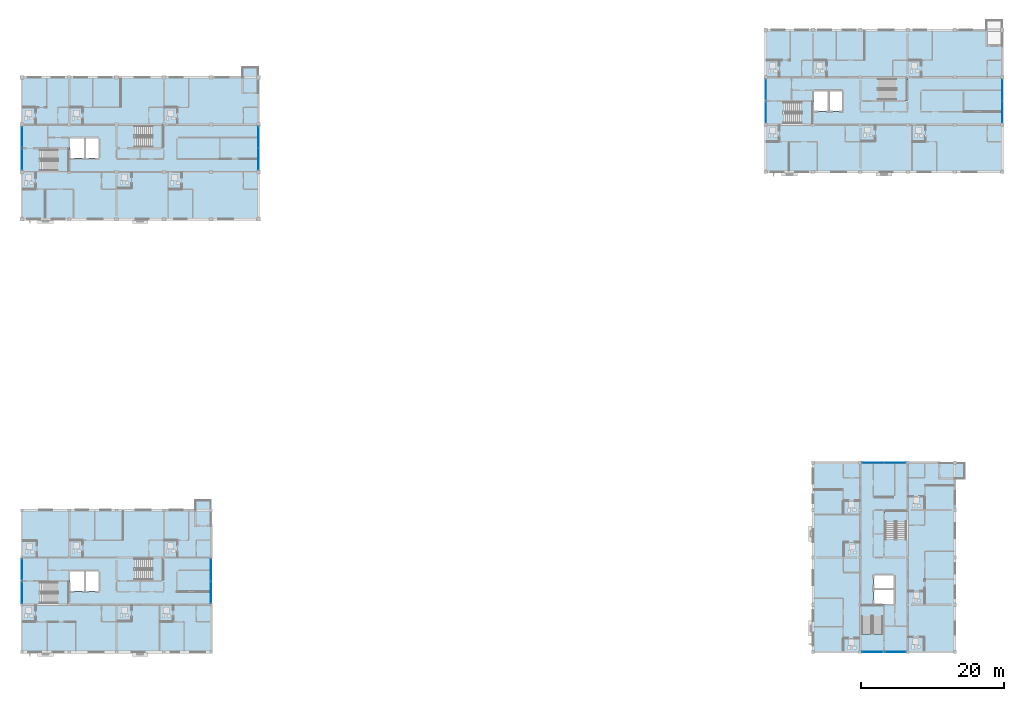
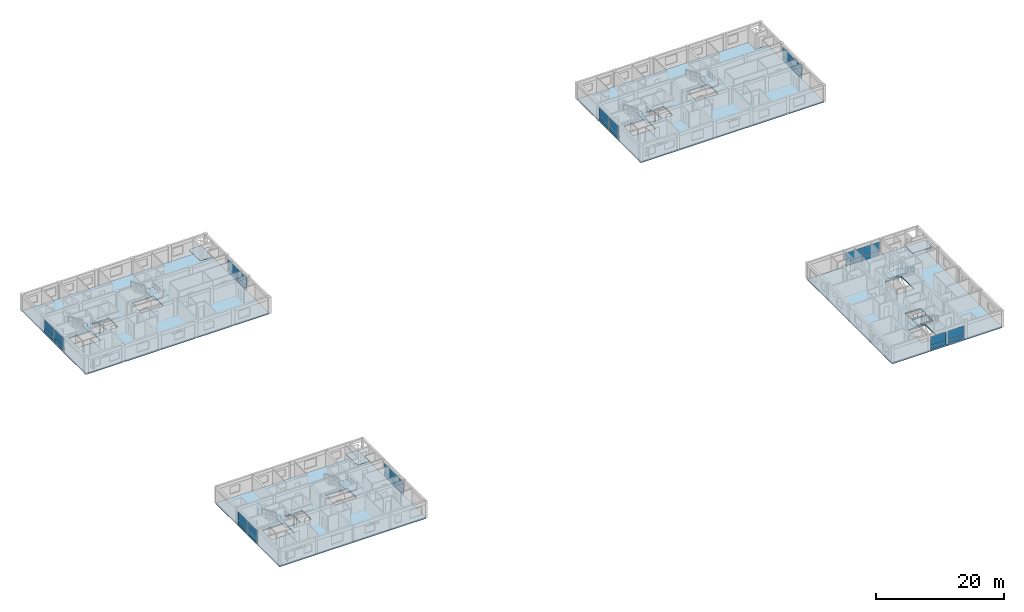
# One storey, part 25 of 53: 32 plates, 15 slabs, 20 elements without a shape of their own.
"""IFC4 building model written with IfcOpenShell, lengths in metres."""

from ifc_helpers import new_model, si_unit, direction, frame, origin, origin_2d, place, context, subcontext, project, spatial, polyline, rectangle, outline, extrude, material, layer, layer_set, type_object, element, aggregate, save


model = new_model("IFC4")

# Units and contexts
model_context = context("Model", 3, precision=1e-05, world=origin(), true_north=direction((0.0, 1.0)))
body_context = subcontext(model_context, "Body", "Model", "MODEL_VIEW")
ifc_project = project(units=[si_unit("LENGTHUNIT", "METRE"), si_unit("AREAUNIT", "SQUARE_METRE"), si_unit("VOLUMEUNIT", "CUBIC_METRE"), si_unit("PLANEANGLEUNIT", "RADIAN"), si_unit("MASSUNIT", "GRAM", prefix="KILO")], contexts=[model_context])

# Site, building, storey
site_placement = place(None, origin())
site = spatial("IfcSite", under=ifc_project, at=site_placement, CompositionType="ELEMENT")
building_placement = place(site_placement, origin())
building = spatial("IfcBuilding", under=site, at=building_placement, Name="Kernevlak Ridge Housing Community", CompositionType="ELEMENT")
storey_placement = place(building_placement, frame((0.0, 0.0, 24.39990234375)))
storey = spatial("IfcBuildingStorey", under=building, at=storey_placement, Name="L07", CompositionType="ELEMENT", Elevation=24.39990234375)

# Curtain wall, plate
ifc_material_1 = material(Name="Aluminium EN AW-6060 anodised and laminated glass", Category="aluminium")
curtain_wall_type_1 = type_object("IfcCurtainWallType", Name="CW-01", PredefinedType="NOTDEFINED", material=ifc_material_1)
curtain_wall_1_placement = place(storey_placement, origin())
curtain_wall_1 = element("IfcCurtainWall", 1, at=curtain_wall_1_placement, inside=storey, type_object=curtain_wall_type_1, Name="Curtain wall CW-01 CW-L07-022", PredefinedType="NOTDEFINED")
ifc_material_2 = material(Name="Solar-control double glazing glass", Category="glass")
ifc_layer_1 = layer(ifc_material_2, 0.02392578125, Name="Solar-control double glazing glass")
ifc_layer_set_1 = layer_set([ifc_layer_1], Name="Solar-control double glazing glass")
plate_type_1 = type_object("IfcPlateType", Name="CP-01", PredefinedType="CURTAIN_PANEL", material=ifc_layer_set_1)
plate_1_placement = place(storey_placement, frame((15.60009765625, 84.33251953125, 0.88037109375), z_axis=(0.0, 0.0, 1.0), x_axis=(0.0, 1.0, 0.0)))
plate_1 = element("IfcPlate", 2, at=plate_1_placement, type_object=plate_type_1, Name="CW-01 panel 1.2", PredefinedType="CURTAIN_PANEL", context=body_context, shape_type="SweptSolid", body=[
    extrude(rectangle(XDim=2.794921875, YDim=0.02392578125, at=origin_2d()), origin(), (0.0, 0.0, 1.0), 1.659912109375),
])

curtain_wall_type_2 = type_object("IfcCurtainWallType", Name="CW-08", PredefinedType="NOTDEFINED", material=ifc_material_1)
curtain_wall_2_placement = place(storey_placement, origin())
curtain_wall_2 = element("IfcCurtainWall", 3, at=curtain_wall_2_placement, inside=storey, type_object=curtain_wall_type_2, Name="Curtain wall CW-08 CW-L07-023", PredefinedType="NOTDEFINED")
plate_2_placement = place(storey_placement, frame((15.60009765625, 87.467529296875, 0.88232421875), z_axis=(0.0, 0.0, 1.0), x_axis=(0.0, 1.0, 0.0)))
plate_2 = element("IfcPlate", 4, at=plate_2_placement, type_object=plate_type_1, Name="CW-08 panel 1.2", PredefinedType="CURTAIN_PANEL", context=body_context, shape_type="SweptSolid", body=[
    extrude(rectangle(XDim=2.784912109375, YDim=0.02392578125, at=origin_2d()), origin(), (0.0, 0.0, 1.0), 1.652587890625),
])

# Curtain wall, plates
curtain_wall_type_3 = type_object("IfcCurtainWallType", Name="CW-09", PredefinedType="NOTDEFINED", material=ifc_material_1)
curtain_wall_3_placement = place(storey_placement, origin())
curtain_wall_3 = element("IfcCurtainWall", 5, at=curtain_wall_3_placement, inside=storey, type_object=curtain_wall_type_3, Name="Curtain wall CW-09 CW-L07-024", PredefinedType="NOTDEFINED")
plate_3_placement = place(storey_placement, frame((48.60009765625, 84.4013671875, 0.877685546875), z_axis=(0.0, 0.0, 1.0), x_axis=(0.0, 1.0, 0.0)))
plate_3 = element("IfcPlate", 6, at=plate_3_placement, type_object=plate_type_1, Name="CW-09 panel 1.2", PredefinedType="CURTAIN_PANEL", context=body_context, shape_type="SweptSolid", body=[
    extrude(rectangle(XDim=2.9423828125, YDim=0.02392578125, at=origin_2d()), origin(), (0.0, 0.0, 1.0), 1.66748046875),
])
plate_4_placement = place(storey_placement, frame((48.60009765625, 87.398681640625, 0.877685546875), z_axis=(0.0, 0.0, 1.0), x_axis=(0.0, 1.0, 0.0)))
plate_4 = element("IfcPlate", 7, at=plate_4_placement, type_object=plate_type_1, Name="CW-09 panel 2.2", PredefinedType="CURTAIN_PANEL", context=body_context, shape_type="SweptSolid", body=[
    extrude(rectangle(XDim=2.9423828125, YDim=0.02392578125, at=origin_2d()), origin(), (0.0, 0.0, 1.0), 1.66748046875),
])

# Curtain wall, plate
curtain_wall_type_4 = type_object("IfcCurtainWallType", Name="CW-04", PredefinedType="NOTDEFINED", material=ifc_material_1)
curtain_wall_4_placement = place(storey_placement, origin())
curtain_wall_4 = element("IfcCurtainWall", 8, at=curtain_wall_4_placement, inside=storey, type_object=curtain_wall_type_4, Name="Curtain wall CW-04 CW-L07-076", PredefinedType="NOTDEFINED")
plate_5_placement = place(storey_placement, frame((119.39990234375, 90.919921875, 0.88037109375), z_axis=(0.0, 0.0, 1.0), x_axis=(0.0, 1.0, 0.0)))
plate_5 = element("IfcPlate", 9, at=plate_5_placement, type_object=plate_type_1, Name="CW-04 panel 1.2", PredefinedType="CURTAIN_PANEL", context=body_context, shape_type="SweptSolid", body=[
    extrude(rectangle(XDim=2.820068359375, YDim=0.02392578125, at=origin_2d()), origin(), (0.0, 0.0, 1.0), 1.659912109375),
])

curtain_wall_type_5 = type_object("IfcCurtainWallType", Name="CW-11", PredefinedType="NOTDEFINED", material=ifc_material_1)
curtain_wall_5_placement = place(storey_placement, origin())
curtain_wall_5 = element("IfcCurtainWall", 10, at=curtain_wall_5_placement, inside=storey, type_object=curtain_wall_type_5, Name="Curtain wall CW-11 CW-L07-077", PredefinedType="NOTDEFINED")
plate_6_placement = place(storey_placement, frame((119.39990234375, 94.080078125, 0.88232421875), z_axis=(0.0, 0.0, 1.0), x_axis=(0.0, 1.0, 0.0)))
plate_6 = element("IfcPlate", 11, at=plate_6_placement, type_object=plate_type_1, Name="CW-11 panel 1.2", PredefinedType="CURTAIN_PANEL", context=body_context, shape_type="SweptSolid", body=[
    extrude(rectangle(XDim=2.81005859375, YDim=0.02392578125, at=origin_2d()), origin(), (0.0, 0.0, 1.0), 1.652587890625),
])

# Curtain wall, plates
curtain_wall_6_placement = place(storey_placement, origin())
curtain_wall_6 = element("IfcCurtainWall", 12, at=curtain_wall_6_placement, inside=storey, type_object=curtain_wall_type_5, Name="Curtain wall CW-11 CW-L07-078", PredefinedType="NOTDEFINED")
plate_7_placement = place(storey_placement, frame((152.39990234375, 90.98876953125, 0.877685546875), z_axis=(0.0, 0.0, 1.0), x_axis=(0.0, 1.0, 0.0)))
plate_7 = element("IfcPlate", 13, at=plate_7_placement, type_object=plate_type_1, Name="CW-11 panel 1.2", PredefinedType="CURTAIN_PANEL", context=body_context, shape_type="SweptSolid", body=[
    extrude(rectangle(XDim=2.967529296875, YDim=0.02392578125, at=origin_2d()), origin(), (0.0, 0.0, 1.0), 1.66748046875),
])
plate_8_placement = place(storey_placement, frame((152.39990234375, 94.01123046875, 0.877685546875), z_axis=(0.0, 0.0, 1.0), x_axis=(0.0, 1.0, 0.0)))
plate_8 = element("IfcPlate", 14, at=plate_8_placement, type_object=plate_type_1, Name="CW-11 panel 2.2", PredefinedType="CURTAIN_PANEL", context=body_context, shape_type="SweptSolid", body=[
    extrude(rectangle(XDim=2.967529296875, YDim=0.02392578125, at=origin_2d()), origin(), (0.0, 0.0, 1.0), 1.66748046875),
])

# Curtain wall, plate
curtain_wall_type_6 = type_object("IfcCurtainWallType", Name="CW-07", PredefinedType="NOTDEFINED", material=ifc_material_1)
curtain_wall_7_placement = place(storey_placement, origin())
curtain_wall_7 = element("IfcCurtainWall", 15, at=curtain_wall_7_placement, inside=storey, type_object=curtain_wall_type_6, Name="Curtain wall CW-07 CW-L07-121", PredefinedType="NOTDEFINED")
plate_9_placement = place(storey_placement, frame((134.3076171875, 15.60009765625, 0.88037109375), z_axis=(0.0, 0.0, 1.0), x_axis=(1.0, 0.0, 0.0)))
plate_9 = element("IfcPlate", 16, at=plate_9_placement, type_object=plate_type_1, Name="CW-07 panel 1.2", PredefinedType="CURTAIN_PANEL", context=body_context, shape_type="SweptSolid", body=[
    extrude(rectangle(XDim=2.844970703125, YDim=0.02392578125, at=origin_2d()), origin(), (0.0, 0.0, 1.0), 1.659912109375),
])

curtain_wall_type_7 = type_object("IfcCurtainWallType", Name="CW-14", PredefinedType="NOTDEFINED", material=ifc_material_1)
curtain_wall_8_placement = place(storey_placement, origin())
curtain_wall_8 = element("IfcCurtainWall", 17, at=curtain_wall_8_placement, inside=storey, type_object=curtain_wall_type_7, Name="Curtain wall CW-14 CW-L07-122", PredefinedType="NOTDEFINED")
plate_10_placement = place(storey_placement, frame((137.492431640625, 15.60009765625, 0.88232421875), z_axis=(0.0, 0.0, 1.0), x_axis=(1.0, 0.0, 0.0)))
plate_10 = element("IfcPlate", 18, at=plate_10_placement, type_object=plate_type_1, Name="CW-14 panel 1.2", PredefinedType="CURTAIN_PANEL", context=body_context, shape_type="SweptSolid", body=[
    extrude(rectangle(XDim=2.8349609375, YDim=0.02392578125, at=origin_2d()), origin(), (0.0, 0.0, 1.0), 1.652587890625),
])

# Curtain wall, plates
curtain_wall_type_8 = type_object("IfcCurtainWallType", Name="CW-13", PredefinedType="NOTDEFINED", material=ifc_material_1)
curtain_wall_9_placement = place(storey_placement, origin())
curtain_wall_9 = element("IfcCurtainWall", 19, at=curtain_wall_9_placement, inside=storey, type_object=curtain_wall_type_8, Name="Curtain wall CW-13 CW-L07-123", PredefinedType="NOTDEFINED")
plate_11_placement = place(storey_placement, frame((134.376220703125, 42.0, 0.877685546875), z_axis=(0.0, 0.0, 1.0), x_axis=(1.0, 0.0, 0.0)))
plate_11 = element("IfcPlate", 20, at=plate_11_placement, type_object=plate_type_1, Name="CW-13 panel 1.2", PredefinedType="CURTAIN_PANEL", context=body_context, shape_type="SweptSolid", body=[
    extrude(rectangle(XDim=2.992431640625, YDim=0.02392578125, at=origin_2d()), origin(), (0.0, 0.0, 1.0), 1.66748046875),
])
plate_12_placement = place(storey_placement, frame((137.423828125, 42.0, 0.877685546875), z_axis=(0.0, 0.0, 1.0), x_axis=(1.0, 0.0, 0.0)))
plate_12 = element("IfcPlate", 21, at=plate_12_placement, type_object=plate_type_1, Name="CW-13 panel 2.2", PredefinedType="CURTAIN_PANEL", context=body_context, shape_type="SweptSolid", body=[
    extrude(rectangle(XDim=2.992431640625, YDim=0.02392578125, at=origin_2d()), origin(), (0.0, 0.0, 1.0), 1.66748046875),
])

# Curtain wall, plate
curtain_wall_type_9 = type_object("IfcCurtainWallType", Name="CW-10", PredefinedType="NOTDEFINED", material=ifc_material_1)
curtain_wall_10_placement = place(storey_placement, origin())
curtain_wall_10 = element("IfcCurtainWall", 22, at=curtain_wall_10_placement, inside=storey, type_object=curtain_wall_type_9, Name="Curtain wall CW-10 CW-L07-160", PredefinedType="NOTDEFINED")
plate_13_placement = place(storey_placement, frame((15.60009765625, 23.882568359375, 0.88037109375), z_axis=(0.0, 0.0, 1.0), x_axis=(0.0, 1.0, 0.0)))
plate_13 = element("IfcPlate", 23, at=plate_13_placement, type_object=plate_type_1, Name="CW-10 panel 1.2", PredefinedType="CURTAIN_PANEL", context=body_context, shape_type="SweptSolid", body=[
    extrude(rectangle(XDim=2.89501953125, YDim=0.02392578125, at=origin_2d()), origin(), (0.0, 0.0, 1.0), 1.659912109375),
])

curtain_wall_type_10 = type_object("IfcCurtainWallType", Name="CW-03", PredefinedType="NOTDEFINED", material=ifc_material_1)
curtain_wall_11_placement = place(storey_placement, origin())
curtain_wall_11 = element("IfcCurtainWall", 24, at=curtain_wall_11_placement, inside=storey, type_object=curtain_wall_type_10, Name="Curtain wall CW-03 CW-L07-161", PredefinedType="NOTDEFINED")
plate_14_placement = place(storey_placement, frame((15.60009765625, 27.117431640625, 0.88232421875), z_axis=(0.0, 0.0, 1.0), x_axis=(0.0, 1.0, 0.0)))
plate_14 = element("IfcPlate", 25, at=plate_14_placement, type_object=plate_type_1, Name="CW-03 panel 1.2", PredefinedType="CURTAIN_PANEL", context=body_context, shape_type="SweptSolid", body=[
    extrude(rectangle(XDim=2.885009765625, YDim=0.02392578125, at=origin_2d()), origin(), (0.0, 0.0, 1.0), 1.652587890625),
])

# Curtain wall, plates
curtain_wall_12_placement = place(storey_placement, origin())
curtain_wall_12 = element("IfcCurtainWall", 26, at=curtain_wall_12_placement, inside=storey, type_object=curtain_wall_type_1, Name="Curtain wall CW-01 CW-L07-162", PredefinedType="NOTDEFINED")
plate_15_placement = place(storey_placement, frame((42.0, 23.951171875, 0.877685546875), z_axis=(0.0, 0.0, 1.0), x_axis=(0.0, 1.0, 0.0)))
plate_15 = element("IfcPlate", 27, at=plate_15_placement, type_object=plate_type_1, Name="CW-01 panel 1.2", PredefinedType="CURTAIN_PANEL", context=body_context, shape_type="SweptSolid", body=[
    extrude(rectangle(XDim=3.04248046875, YDim=0.02392578125, at=origin_2d()), origin(), (0.0, 0.0, 1.0), 1.66748046875),
])
plate_16_placement = place(storey_placement, frame((42.0, 27.048828125, 0.877685546875), z_axis=(0.0, 0.0, 1.0), x_axis=(0.0, 1.0, 0.0)))
plate_16 = element("IfcPlate", 28, at=plate_16_placement, type_object=plate_type_1, Name="CW-01 panel 2.2", PredefinedType="CURTAIN_PANEL", context=body_context, shape_type="SweptSolid", body=[
    extrude(rectangle(XDim=3.04248046875, YDim=0.02392578125, at=origin_2d()), origin(), (0.0, 0.0, 1.0), 1.66748046875),
])

# Plate
ifc_material_3 = material(Name="Aluminium EN AW-5005 enamelled panel", Category="aluminium")
ifc_layer_2 = layer(ifc_material_3, 0.033935546875, Name="Aluminium EN AW-5005 enamelled panel")
ifc_layer_set_2 = layer_set([ifc_layer_2], Name="Aluminium EN AW-5005 enamelled panel")
plate_type_2 = type_object("IfcPlateType", Name="CP-03", PredefinedType="CURTAIN_PANEL", material=ifc_layer_set_2)
plate_17_placement = place(storey_placement, frame((48.60009765625, 84.4013671875, 0.05517578125), z_axis=(0.0, 0.0, 1.0), x_axis=(0.0, 1.0, 0.0)))
plate_17 = element("IfcPlate", 29, at=plate_17_placement, type_object=plate_type_2, Name="CW-09 panel 1.1", PredefinedType="CURTAIN_PANEL", context=body_context, shape_type="SweptSolid", body=[
    extrude(rectangle(XDim=2.9423828125, YDim=0.033935546875, at=origin_2d()), origin(), (0.0, 0.0, 1.0), 0.767578125),
])

plate_18_placement = place(storey_placement, frame((48.60009765625, 87.398681640625, 0.05517578125), z_axis=(0.0, 0.0, 1.0), x_axis=(0.0, 1.0, 0.0)))
plate_18 = element("IfcPlate", 30, at=plate_18_placement, type_object=plate_type_2, Name="CW-09 panel 2.1", PredefinedType="CURTAIN_PANEL", context=body_context, shape_type="SweptSolid", body=[
    extrude(rectangle(XDim=2.9423828125, YDim=0.033935546875, at=origin_2d()), origin(), (0.0, 0.0, 1.0), 0.767578125),
])

aggregate(curtain_wall_3, [plate_17, plate_3, plate_18, plate_4])

plate_19_placement = place(storey_placement, frame((119.39990234375, 94.080078125, 0.065185546875), z_axis=(0.0, 0.0, 1.0), x_axis=(0.0, 1.0, 0.0)))
plate_19 = element("IfcPlate", 31, at=plate_19_placement, type_object=plate_type_2, Name="CW-11 panel 1.1", PredefinedType="CURTAIN_PANEL", context=body_context, shape_type="SweptSolid", body=[
    extrude(rectangle(XDim=2.81005859375, YDim=0.033935546875, at=origin_2d()), origin(), (0.0, 0.0, 1.0), 0.75244140625),
])

aggregate(curtain_wall_5, [plate_19, plate_6])

plate_20_placement = place(storey_placement, frame((134.3076171875, 15.60009765625, 0.06005859375), z_axis=(0.0, 0.0, 1.0), x_axis=(1.0, 0.0, 0.0)))
plate_20 = element("IfcPlate", 32, at=plate_20_placement, type_object=plate_type_2, Name="CW-07 panel 1.1", PredefinedType="CURTAIN_PANEL", context=body_context, shape_type="SweptSolid", body=[
    extrude(rectangle(XDim=2.844970703125, YDim=0.033935546875, at=origin_2d()), origin(), (0.0, 0.0, 1.0), 0.760009765625),
])

aggregate(curtain_wall_7, [plate_20, plate_9])

ifc_layer_3 = layer(ifc_material_3, 0.0380859375, Name="Aluminium EN AW-5005 enamelled panel")
ifc_layer_set_3 = layer_set([ifc_layer_3], Name="Aluminium EN AW-5005 enamelled panel")
plate_type_3 = type_object("IfcPlateType", Name="CP-04", PredefinedType="CURTAIN_PANEL", material=ifc_layer_set_3)
plate_21_placement = place(storey_placement, frame((152.39990234375, 90.98876953125, 0.05517578125), z_axis=(0.0, 0.0, 1.0), x_axis=(0.0, 1.0, 0.0)))
plate_21 = element("IfcPlate", 33, at=plate_21_placement, type_object=plate_type_3, Name="CW-11 panel 1.1", PredefinedType="CURTAIN_PANEL", context=body_context, shape_type="SweptSolid", body=[
    extrude(rectangle(XDim=2.967529296875, YDim=0.0380859375, at=origin_2d()), origin(), (0.0, 0.0, 1.0), 0.767578125),
])

plate_22_placement = place(storey_placement, frame((152.39990234375, 94.01123046875, 0.05517578125), z_axis=(0.0, 0.0, 1.0), x_axis=(0.0, 1.0, 0.0)))
plate_22 = element("IfcPlate", 34, at=plate_22_placement, type_object=plate_type_3, Name="CW-11 panel 2.1", PredefinedType="CURTAIN_PANEL", context=body_context, shape_type="SweptSolid", body=[
    extrude(rectangle(XDim=2.967529296875, YDim=0.0380859375, at=origin_2d()), origin(), (0.0, 0.0, 1.0), 0.767578125),
])

aggregate(curtain_wall_6, [plate_21, plate_7, plate_22, plate_8])

plate_23_placement = place(storey_placement, frame((137.492431640625, 15.60009765625, 0.065185546875), z_axis=(0.0, 0.0, 1.0), x_axis=(1.0, 0.0, 0.0)))
plate_23 = element("IfcPlate", 35, at=plate_23_placement, type_object=plate_type_3, Name="CW-14 panel 1.1", PredefinedType="CURTAIN_PANEL", context=body_context, shape_type="SweptSolid", body=[
    extrude(rectangle(XDim=2.8349609375, YDim=0.0380859375, at=origin_2d()), origin(), (0.0, 0.0, 1.0), 0.75244140625),
])

aggregate(curtain_wall_8, [plate_23, plate_10])

plate_24_placement = place(storey_placement, frame((15.60009765625, 23.882568359375, 0.06005859375), z_axis=(0.0, 0.0, 1.0), x_axis=(0.0, 1.0, 0.0)))
plate_24 = element("IfcPlate", 36, at=plate_24_placement, type_object=plate_type_3, Name="CW-10 panel 1.1", PredefinedType="CURTAIN_PANEL", context=body_context, shape_type="SweptSolid", body=[
    extrude(rectangle(XDim=2.89501953125, YDim=0.0380859375, at=origin_2d()), origin(), (0.0, 0.0, 1.0), 0.760009765625),
])

aggregate(curtain_wall_10, [plate_24, plate_13])

ifc_layer_4 = layer(ifc_material_3, 0.0419921875, Name="Aluminium EN AW-5005 enamelled panel")
ifc_layer_set_4 = layer_set([ifc_layer_4], Name="Aluminium EN AW-5005 enamelled panel")
plate_type_4 = type_object("IfcPlateType", Name="CP-05", PredefinedType="CURTAIN_PANEL", material=ifc_layer_set_4)
plate_25_placement = place(storey_placement, frame((134.376220703125, 42.0, 0.05517578125), z_axis=(0.0, 0.0, 1.0), x_axis=(1.0, 0.0, 0.0)))
plate_25 = element("IfcPlate", 37, at=plate_25_placement, type_object=plate_type_4, Name="CW-13 panel 1.1", PredefinedType="CURTAIN_PANEL", context=body_context, shape_type="SweptSolid", body=[
    extrude(rectangle(XDim=2.992431640625, YDim=0.0419921875, at=origin_2d()), origin(), (0.0, 0.0, 1.0), 0.767578125),
])

plate_26_placement = place(storey_placement, frame((137.423828125, 42.0, 0.05517578125), z_axis=(0.0, 0.0, 1.0), x_axis=(1.0, 0.0, 0.0)))
plate_26 = element("IfcPlate", 38, at=plate_26_placement, type_object=plate_type_4, Name="CW-13 panel 2.1", PredefinedType="CURTAIN_PANEL", context=body_context, shape_type="SweptSolid", body=[
    extrude(rectangle(XDim=2.992431640625, YDim=0.0419921875, at=origin_2d()), origin(), (0.0, 0.0, 1.0), 0.767578125),
])

aggregate(curtain_wall_9, [plate_25, plate_11, plate_26, plate_12])

plate_27_placement = place(storey_placement, frame((15.60009765625, 27.117431640625, 0.065185546875), z_axis=(0.0, 0.0, 1.0), x_axis=(0.0, 1.0, 0.0)))
plate_27 = element("IfcPlate", 39, at=plate_27_placement, type_object=plate_type_4, Name="CW-03 panel 1.1", PredefinedType="CURTAIN_PANEL", context=body_context, shape_type="SweptSolid", body=[
    extrude(rectangle(XDim=2.885009765625, YDim=0.0419921875, at=origin_2d()), origin(), (0.0, 0.0, 1.0), 0.75244140625),
])

aggregate(curtain_wall_11, [plate_27, plate_14])

ifc_material_4 = material(Name="Aluminium EN AW-5005 insulated panel", Category="aluminium")
ifc_layer_5 = layer(ifc_material_4, 0.0458984375, Name="Aluminium EN AW-5005 insulated panel")
ifc_layer_set_5 = layer_set([ifc_layer_5], Name="Aluminium EN AW-5005 insulated panel")
plate_type_5 = type_object("IfcPlateType", Name="CP-06", PredefinedType="CURTAIN_PANEL", material=ifc_layer_set_5)
plate_28_placement = place(storey_placement, frame((15.60009765625, 84.33251953125, 0.06005859375), z_axis=(0.0, 0.0, 1.0), x_axis=(0.0, 1.0, 0.0)))
plate_28 = element("IfcPlate", 40, at=plate_28_placement, type_object=plate_type_5, Name="CW-01 panel 1.1", PredefinedType="CURTAIN_PANEL", context=body_context, shape_type="SweptSolid", body=[
    extrude(rectangle(XDim=2.794921875, YDim=0.0458984375, at=origin_2d()), origin(), (0.0, 0.0, 1.0), 0.760009765625),
])

aggregate(curtain_wall_1, [plate_28, plate_1])

plate_29_placement = place(storey_placement, frame((42.0, 23.951171875, 0.05517578125), z_axis=(0.0, 0.0, 1.0), x_axis=(0.0, 1.0, 0.0)))
plate_29 = element("IfcPlate", 41, at=plate_29_placement, type_object=plate_type_5, Name="CW-01 panel 1.1", PredefinedType="CURTAIN_PANEL", context=body_context, shape_type="SweptSolid", body=[
    extrude(rectangle(XDim=3.04248046875, YDim=0.0458984375, at=origin_2d()), origin(), (0.0, 0.0, 1.0), 0.767578125),
])

plate_30_placement = place(storey_placement, frame((42.0, 27.048828125, 0.05517578125), z_axis=(0.0, 0.0, 1.0), x_axis=(0.0, 1.0, 0.0)))
plate_30 = element("IfcPlate", 42, at=plate_30_placement, type_object=plate_type_5, Name="CW-01 panel 2.1", PredefinedType="CURTAIN_PANEL", context=body_context, shape_type="SweptSolid", body=[
    extrude(rectangle(XDim=3.04248046875, YDim=0.0458984375, at=origin_2d()), origin(), (0.0, 0.0, 1.0), 0.767578125),
])

aggregate(curtain_wall_12, [plate_29, plate_15, plate_30, plate_16])

ifc_layer_6 = layer(ifc_material_4, 0.050048828125, Name="Aluminium EN AW-5005 insulated panel")
ifc_layer_set_6 = layer_set([ifc_layer_6], Name="Aluminium EN AW-5005 insulated panel")
plate_type_6 = type_object("IfcPlateType", Name="CP-07", PredefinedType="CURTAIN_PANEL", material=ifc_layer_set_6)
plate_31_placement = place(storey_placement, frame((15.60009765625, 87.467529296875, 0.065185546875), z_axis=(0.0, 0.0, 1.0), x_axis=(0.0, 1.0, 0.0)))
plate_31 = element("IfcPlate", 43, at=plate_31_placement, type_object=plate_type_6, Name="CW-08 panel 1.1", PredefinedType="CURTAIN_PANEL", context=body_context, shape_type="SweptSolid", body=[
    extrude(rectangle(XDim=2.784912109375, YDim=0.050048828125, at=origin_2d()), origin(), (0.0, 0.0, 1.0), 0.75244140625),
])

aggregate(curtain_wall_2, [plate_31, plate_2])

plate_32_placement = place(storey_placement, frame((119.39990234375, 90.919921875, 0.06005859375), z_axis=(0.0, 0.0, 1.0), x_axis=(0.0, 1.0, 0.0)))
plate_32 = element("IfcPlate", 44, at=plate_32_placement, type_object=plate_type_6, Name="CW-04 panel 1.1", PredefinedType="CURTAIN_PANEL", context=body_context, shape_type="SweptSolid", body=[
    extrude(rectangle(XDim=2.820068359375, YDim=0.050048828125, at=origin_2d()), origin(), (0.0, 0.0, 1.0), 0.760009765625),
])

aggregate(curtain_wall_4, [plate_32, plate_5])

# Slabs
ifc_material_5 = material(Name="Concrete C35/45", Category="concrete")
ifc_layer_7 = layer(ifc_material_5, 0.239990234375, Name="Concrete C35/45")
ifc_layer_set_7 = layer_set([ifc_layer_7], Name="Concrete C35/45")
slab_type_1 = type_object("IfcSlabType", Name="SL-03", PredefinedType="FLOOR", material=ifc_layer_set_7)
slab_1_placement = place(storey_placement, frame((0.0, 0.0, -0.239990234375)))
element("IfcSlab", 45, at=slab_1_placement, inside=storey, type_object=slab_type_1, Name="Block A level L07 floor slab", PredefinedType="FLOOR", context=body_context, shape_type="SweptSolid", body=[
    extrude(outline(polyline([(15.60009765625, 76.0), (48.60009765625, 76.0), (48.60009765625, 93.60009765625), (46.39990234375, 93.60009765625), (46.39990234375, 95.800048828125), (15.60009765625, 95.800048828125), (15.60009765625, 76.0)]), holes=[polyline([(18.139892578125, 85.75), (22.1201171875, 85.75), (22.1201171875, 82.75), (18.139892578125, 82.75), (18.139892578125, 85.75)]), polyline([(31.340087890625, 89.050048828125), (35.320068359375, 89.050048828125), (35.320068359375, 86.050048828125), (31.340087890625, 86.050048828125), (31.340087890625, 89.050048828125)]), polyline([(22.320068359375, 87.280029296875), (24.280029296875, 87.280029296875), (24.280029296875, 84.52001953125), (22.320068359375, 84.52001953125), (22.320068359375, 87.280029296875)]), polyline([(24.52001953125, 87.280029296875), (26.280029296875, 87.280029296875), (26.280029296875, 84.52001953125), (24.52001953125, 84.52001953125), (24.52001953125, 87.280029296875)])]), origin(), (0.0, 0.0, 1.0), 0.239990234375),
])
slab_2_placement = place(storey_placement, frame((0.0, 0.0, -0.239990234375)))
element("IfcSlab", 46, at=slab_2_placement, inside=storey, type_object=slab_type_1, Name="Block B level L07 floor slab", PredefinedType="FLOOR", context=body_context, shape_type="SweptSolid", body=[
    extrude(outline(polyline([(119.39990234375, 82.60009765625), (152.39990234375, 82.60009765625), (152.39990234375, 100.199951171875), (150.199951171875, 100.199951171875), (150.199951171875, 102.39990234375), (119.39990234375, 102.39990234375), (119.39990234375, 82.60009765625)]), holes=[polyline([(121.93994140625, 92.35009765625), (125.919921875, 92.35009765625), (125.919921875, 89.35009765625), (121.93994140625, 89.35009765625), (121.93994140625, 92.35009765625)]), polyline([(135.139892578125, 95.64990234375), (139.1201171875, 95.64990234375), (139.1201171875, 92.64990234375), (135.139892578125, 92.64990234375), (135.139892578125, 95.64990234375)]), polyline([(126.1201171875, 93.8798828125), (128.080078125, 93.8798828125), (128.080078125, 91.1201171875), (126.1201171875, 91.1201171875), (126.1201171875, 93.8798828125)]), polyline([(128.320068359375, 93.8798828125), (130.080078125, 93.8798828125), (130.080078125, 91.1201171875), (128.320068359375, 91.1201171875), (128.320068359375, 93.8798828125)])]), origin(), (0.0, 0.0, 1.0), 0.239990234375),
])
slab_3_placement = place(storey_placement, frame((0.0, 0.0, -0.239990234375)))
element("IfcSlab", 47, at=slab_3_placement, inside=storey, type_object=slab_type_1, Name="Block C level L07 floor slab", PredefinedType="FLOOR", context=body_context, shape_type="SweptSolid", body=[
    extrude(outline(polyline([(145.800048828125, 15.60009765625), (145.800048828125, 39.800048828125), (143.60009765625, 39.800048828125), (143.60009765625, 42.0), (126.0, 42.0), (126.0, 15.60009765625), (145.800048828125, 15.60009765625)]), holes=[polyline([(132.75, 18.139892578125), (132.75, 22.1201171875), (135.75, 22.1201171875), (135.75, 18.139892578125), (132.75, 18.139892578125)]), polyline([(136.050048828125, 31.340087890625), (136.050048828125, 35.320068359375), (139.050048828125, 35.320068359375), (139.050048828125, 31.340087890625), (136.050048828125, 31.340087890625)]), polyline([(134.52001953125, 24.280029296875), (137.280029296875, 24.280029296875), (137.280029296875, 22.320068359375), (134.52001953125, 22.320068359375), (134.52001953125, 24.280029296875)]), polyline([(134.52001953125, 26.280029296875), (137.280029296875, 26.280029296875), (137.280029296875, 24.52001953125), (134.52001953125, 24.52001953125), (134.52001953125, 26.280029296875)])]), origin(), (0.0, 0.0, 1.0), 0.239990234375),
])
slab_4_placement = place(storey_placement, frame((0.0, 0.0, -0.239990234375)))
element("IfcSlab", 48, at=slab_4_placement, inside=storey, type_object=slab_type_1, Name="Block D level L07 floor slab", PredefinedType="FLOOR", context=body_context, shape_type="SweptSolid", body=[
    extrude(outline(polyline([(15.60009765625, 15.60009765625), (42.0, 15.60009765625), (42.0, 33.199951171875), (39.800048828125, 33.199951171875), (39.800048828125, 35.39990234375), (15.60009765625, 35.39990234375), (15.60009765625, 15.60009765625)]), holes=[polyline([(18.139892578125, 25.35009765625), (22.1201171875, 25.35009765625), (22.1201171875, 22.35009765625), (18.139892578125, 22.35009765625), (18.139892578125, 25.35009765625)]), polyline([(31.340087890625, 28.64990234375), (35.320068359375, 28.64990234375), (35.320068359375, 25.64990234375), (31.340087890625, 25.64990234375), (31.340087890625, 28.64990234375)]), polyline([(22.320068359375, 26.8798828125), (24.280029296875, 26.8798828125), (24.280029296875, 24.1201171875), (22.320068359375, 24.1201171875), (22.320068359375, 26.8798828125)]), polyline([(24.52001953125, 26.8798828125), (26.280029296875, 26.8798828125), (26.280029296875, 24.1201171875), (24.52001953125, 24.1201171875), (24.52001953125, 26.8798828125)])]), origin(), (0.0, 0.0, 1.0), 0.239990234375),
])
ifc_layer_8 = layer(ifc_material_5, 0.199951171875, Name="Concrete C35/45")
ifc_layer_set_8 = layer_set([ifc_layer_8], Name="Concrete C35/45")
slab_type_2 = type_object("IfcSlabType", Name="SL-05", PredefinedType="FLOOR", material=ifc_layer_set_8)
slab_5_placement = place(storey_placement, frame((0.0, 0.0, -0.199951171875)))
element("IfcSlab", 49, at=slab_5_placement, inside=storey, type_object=slab_type_2, Name="Block A L07 corner balcony deck slab", PredefinedType="FLOOR", context=body_context, shape_type="SweptSolid", body=[
    extrude(outline(polyline([(46.39990234375, 93.60009765625), (48.60009765625, 93.60009765625), (48.60009765625, 97.199951171875), (46.39990234375, 97.199951171875), (46.39990234375, 93.60009765625)])), origin(), (0.0, 0.0, 1.0), 0.199951171875),
])
slab_6_placement = place(storey_placement, frame((0.0, 0.0, -0.199951171875)))
element("IfcSlab", 50, at=slab_6_placement, inside=storey, type_object=slab_type_2, Name="Block C L07 corner balcony deck slab", PredefinedType="FLOOR", context=body_context, shape_type="SweptSolid", body=[
    extrude(outline(polyline([(147.199951171875, 39.800048828125), (147.199951171875, 42.0), (143.60009765625, 42.0), (143.60009765625, 39.800048828125), (147.199951171875, 39.800048828125)])), origin(), (0.0, 0.0, 1.0), 0.199951171875),
])
slab_7_placement = place(storey_placement, frame((0.0, 0.0, -0.199951171875)))
element("IfcSlab", 51, at=slab_7_placement, inside=storey, type_object=slab_type_2, Name="Block D L07 corner balcony deck slab", PredefinedType="FLOOR", context=body_context, shape_type="SweptSolid", body=[
    extrude(outline(polyline([(39.800048828125, 33.199951171875), (42.0, 33.199951171875), (42.0, 36.800048828125), (39.800048828125, 36.800048828125), (39.800048828125, 33.199951171875)])), origin(), (0.0, 0.0, 1.0), 0.199951171875),
])

# Stair, slab
stair_type = type_object("IfcStairType", Name="SR-01", PredefinedType="HALF_TURN_STAIR", material=ifc_material_5)
stair_1_placement = place(storey_placement, origin())
stair_1 = element("IfcStair", 52, at=stair_1_placement, inside=storey, type_object=stair_type, Name="Stair ST-A1 L07", PredefinedType="HALF_TURN_STAIR")
ifc_layer_9 = layer(ifc_material_5, 0.18994140625, Name="Concrete C35/45")
ifc_layer_set_9 = layer_set([ifc_layer_9], Name="Concrete C35/45")
slab_type_3 = type_object("IfcSlabType", Name="SL-13", PredefinedType="LANDING", material=ifc_layer_set_9)
slab_8_placement = place(storey_placement, frame((0.0, 0.0, 1.41015625)))
slab_8 = element("IfcSlab", 53, at=slab_8_placement, type_object=slab_type_3, Name="SR-01 landing 1", PredefinedType="LANDING", context=body_context, shape_type="SweptSolid", body=[
    extrude(outline(polyline([(20.5400390625, 82.64990234375), (22.14990234375, 82.64990234375), (22.14990234375, 85.85009765625), (20.5400390625, 85.85009765625), (20.5400390625, 82.64990234375)])), origin(), (0.0, 0.0, 1.0), 0.18994140625),
])
aggregate(stair_1, [slab_8])

stair_2_placement = place(storey_placement, origin())
stair_2 = element("IfcStair", 54, at=stair_2_placement, inside=storey, type_object=stair_type, Name="Stair ST-A2 L07", PredefinedType="HALF_TURN_STAIR")
slab_9_placement = place(storey_placement, frame((0.0, 0.0, 1.41015625)))
slab_9 = element("IfcSlab", 55, at=slab_9_placement, type_object=slab_type_3, Name="SR-01 landing 1", PredefinedType="LANDING", context=body_context, shape_type="SweptSolid", body=[
    extrude(outline(polyline([(33.739990234375, 85.949951171875), (35.35009765625, 85.949951171875), (35.35009765625, 89.14990234375), (33.739990234375, 89.14990234375), (33.739990234375, 85.949951171875)])), origin(), (0.0, 0.0, 1.0), 0.18994140625),
])
aggregate(stair_2, [slab_9])

stair_3_placement = place(storey_placement, origin())
stair_3 = element("IfcStair", 56, at=stair_3_placement, inside=storey, type_object=stair_type, Name="Stair ST-B1 L07", PredefinedType="HALF_TURN_STAIR")
slab_10_placement = place(storey_placement, frame((0.0, 0.0, 1.41015625)))
slab_10 = element("IfcSlab", 57, at=slab_10_placement, type_object=slab_type_3, Name="SR-01 landing 1", PredefinedType="LANDING", context=body_context, shape_type="SweptSolid", body=[
    extrude(outline(polyline([(124.340087890625, 89.25), (125.949951171875, 89.25), (125.949951171875, 92.449951171875), (124.340087890625, 92.449951171875), (124.340087890625, 89.25)])), origin(), (0.0, 0.0, 1.0), 0.18994140625),
])
aggregate(stair_3, [slab_10])

stair_4_placement = place(storey_placement, origin())
stair_4 = element("IfcStair", 58, at=stair_4_placement, inside=storey, type_object=stair_type, Name="Stair ST-B2 L07", PredefinedType="HALF_TURN_STAIR")
slab_11_placement = place(storey_placement, frame((0.0, 0.0, 1.41015625)))
slab_11 = element("IfcSlab", 59, at=slab_11_placement, type_object=slab_type_3, Name="SR-01 landing 1", PredefinedType="LANDING", context=body_context, shape_type="SweptSolid", body=[
    extrude(outline(polyline([(137.5400390625, 92.550048828125), (139.14990234375, 92.550048828125), (139.14990234375, 95.75), (137.5400390625, 95.75), (137.5400390625, 92.550048828125)])), origin(), (0.0, 0.0, 1.0), 0.18994140625),
])
aggregate(stair_4, [slab_11])

stair_5_placement = place(storey_placement, origin())
stair_5 = element("IfcStair", 60, at=stair_5_placement, inside=storey, type_object=stair_type, Name="Stair ST-C1 L07", PredefinedType="HALF_TURN_STAIR")
slab_12_placement = place(storey_placement, frame((0.0, 0.0, 1.41015625)))
slab_12 = element("IfcSlab", 61, at=slab_12_placement, type_object=slab_type_3, Name="SR-01 landing 1", PredefinedType="LANDING", context=body_context, shape_type="SweptSolid", body=[
    extrude(outline(polyline([(135.85009765625, 20.5400390625), (135.85009765625, 22.14990234375), (132.64990234375, 22.14990234375), (132.64990234375, 20.5400390625), (135.85009765625, 20.5400390625)])), origin(), (0.0, 0.0, 1.0), 0.18994140625),
])
aggregate(stair_5, [slab_12])

stair_6_placement = place(storey_placement, origin())
stair_6 = element("IfcStair", 62, at=stair_6_placement, inside=storey, type_object=stair_type, Name="Stair ST-C2 L07", PredefinedType="HALF_TURN_STAIR")
slab_13_placement = place(storey_placement, frame((0.0, 0.0, 1.41015625)))
slab_13 = element("IfcSlab", 63, at=slab_13_placement, type_object=slab_type_3, Name="SR-01 landing 1", PredefinedType="LANDING", context=body_context, shape_type="SweptSolid", body=[
    extrude(outline(polyline([(139.14990234375, 33.739990234375), (139.14990234375, 35.35009765625), (135.949951171875, 35.35009765625), (135.949951171875, 33.739990234375), (139.14990234375, 33.739990234375)])), origin(), (0.0, 0.0, 1.0), 0.18994140625),
])
aggregate(stair_6, [slab_13])

stair_7_placement = place(storey_placement, origin())
stair_7 = element("IfcStair", 64, at=stair_7_placement, inside=storey, type_object=stair_type, Name="Stair ST-D1 L07", PredefinedType="HALF_TURN_STAIR")
slab_14_placement = place(storey_placement, frame((0.0, 0.0, 1.41015625)))
slab_14 = element("IfcSlab", 65, at=slab_14_placement, type_object=slab_type_3, Name="SR-01 landing 1", PredefinedType="LANDING", context=body_context, shape_type="SweptSolid", body=[
    extrude(outline(polyline([(20.5400390625, 22.25), (22.14990234375, 22.25), (22.14990234375, 25.449951171875), (20.5400390625, 25.449951171875), (20.5400390625, 22.25)])), origin(), (0.0, 0.0, 1.0), 0.18994140625),
])
aggregate(stair_7, [slab_14])

stair_8_placement = place(storey_placement, origin())
stair_8 = element("IfcStair", 66, at=stair_8_placement, inside=storey, type_object=stair_type, Name="Stair ST-D2 L07", PredefinedType="HALF_TURN_STAIR")
slab_15_placement = place(storey_placement, frame((0.0, 0.0, 1.41015625)))
slab_15 = element("IfcSlab", 67, at=slab_15_placement, type_object=slab_type_3, Name="SR-01 landing 1", PredefinedType="LANDING", context=body_context, shape_type="SweptSolid", body=[
    extrude(outline(polyline([(33.739990234375, 25.550048828125), (35.35009765625, 25.550048828125), (35.35009765625, 28.75), (33.739990234375, 28.75), (33.739990234375, 25.550048828125)])), origin(), (0.0, 0.0, 1.0), 0.18994140625),
])
aggregate(stair_8, [slab_15])

save(model, "model.ifc")
